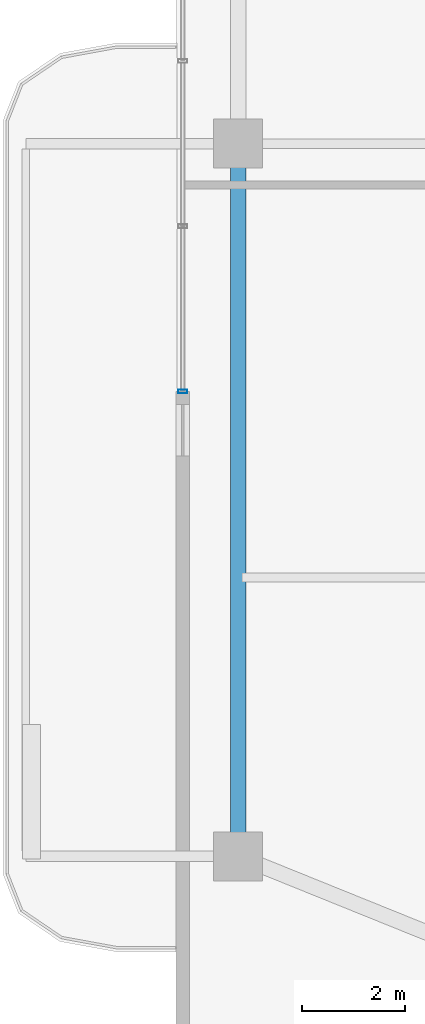
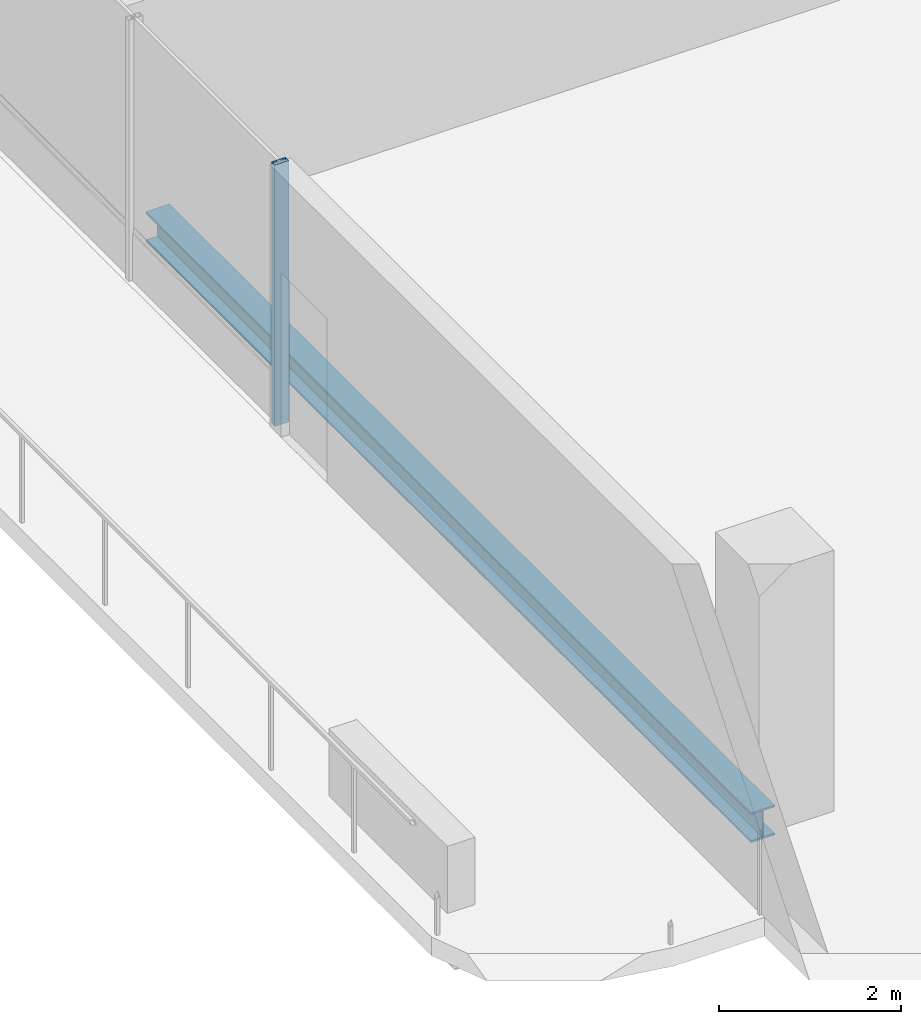
# One storey, part 4 of 24: 1 beam, 1 member, 1 element without a shape of its own.
"""IFC4 building model written with IfcOpenShell, lengths in metres."""

from ifc_helpers import new_model, si_unit, direction, frame, origin, origin_2d, place, context, subcontext, project, spatial, hollow_rectangle, i_section, extrude, material, layer, layer_set, material_profile, profile_set, type_object, element, aggregate, save


model = new_model("IFC4")

# Units and contexts
model_context = context("Model", 3, precision=1e-05, world=origin(), true_north=direction((0.0, 1.0)))
body_context = subcontext(model_context, "Body", "Model", "MODEL_VIEW")
ifc_project = project(units=[si_unit("LENGTHUNIT", "METRE"), si_unit("AREAUNIT", "SQUARE_METRE"), si_unit("VOLUMEUNIT", "CUBIC_METRE"), si_unit("PLANEANGLEUNIT", "RADIAN"), si_unit("MASSUNIT", "GRAM", prefix="KILO")], contexts=[model_context])

# Site, building, storey
site_placement = place(None, origin())
site = spatial("IfcSite", under=ifc_project, at=site_placement, CompositionType="ELEMENT")
building_placement = place(site_placement, origin())
building = spatial("IfcBuilding", under=site, at=building_placement, Name="Belovzor Exchange Tower", CompositionType="ELEMENT")
storey_placement = place(building_placement, frame((0.0, 0.0, 261.60009765625)))
storey = spatial("IfcBuildingStorey", under=building, at=storey_placement, Name="L65", CompositionType="ELEMENT", Elevation=261.60009765625)

# Curtain wall, member
ifc_material_1 = material(Name="Anodised Aluminium Framing", Category="aluminium")
ifc_layer = layer(ifc_material_1, 0.179931640625)
ifc_layer_set = layer_set([ifc_layer], Name="Anodised Aluminium Framing")
curtain_wall_type = type_object("IfcCurtainWallType", Name="Recessed Loggia Low-Iron Triple-Glazed Curtain Wall", PredefinedType="NOTDEFINED", material=ifc_layer_set)
curtain_wall_placement = place(storey_placement, origin())
curtain_wall = element("IfcCurtainWall", 1, at=curtain_wall_placement, inside=storey, type_object=curtain_wall_type, Name="CW3 Recessed Loggia Low-Iron Triple-Glazed Curtain Wall L65", PredefinedType="NOTDEFINED")
ifc_material_2 = material(Name="Steel S355", Category="steel")
ifc_material_profile_1 = material_profile(ifc_material_2, hollow_rectangle(XDim=0.074951171875, YDim=0.179931640625, WallThickness=0.0048828125, at=origin_2d()))
ifc_profile_set_1 = profile_set([ifc_material_profile_1], Name="Steel S355")
member_type = type_object("IfcMemberType", Name="Thermally Broken Curtain Wall Mullion 180x75", PredefinedType="MULLION", material=ifc_profile_set_1)
member_placement = place(storey_placement, frame((4.030029296875, 24.0, 0.0), z_axis=(0.0, 0.0, 1.0), x_axis=(0.0, 1.0, 0.0)))
member = element("IfcMember", 2, at=member_placement, type_object=member_type, Name="CW-M180 Curtain Wall Mullion 1", PredefinedType="MULLION", context=body_context, shape_type="SweptSolid", body=[
    extrude(hollow_rectangle(XDim=0.074951171875, YDim=0.179931640625, WallThickness=0.0048828125, at=origin_2d()), origin(), (0.0, 0.0, 1.0), 3.5),
])
aggregate(curtain_wall, [member])

# Beam
ifc_material_3 = material(Name="Steel S355", Category="steel")
ifc_material_profile_2 = material_profile(ifc_material_3, i_section(OverallWidth=0.300048828125, OverallDepth=0.39990234375, WebThickness=0.013427734375, FlangeThickness=0.02392578125, at=origin_2d()))
ifc_profile_set_2 = profile_set([ifc_material_profile_2], Name="Steel S355")
beam_type = type_object("IfcBeamType", Name="Zone 5 Primary Girder HEB 400", PredefinedType="BEAM", material=ifc_profile_set_2)
beam_placement = place(storey_placement, frame((5.10009765625, 28.5390625, -0.4501953125), z_axis=(0.0, -1.0, 0.0), x_axis=(1.0, 0.0, 0.0)))
element("IfcBeam", 3, at=beam_placement, inside=storey, type_object=beam_type, Name="FG-Z5 Zone 5 Primary Girder HEB 400", PredefinedType="BEAM", context=body_context, shape_type="SweptSolid", body=[
    extrude(i_section(OverallWidth=0.300048828125, OverallDepth=0.39990234375, WebThickness=0.013427734375, FlangeThickness=0.02392578125, at=origin_2d()), origin(), (0.0, 0.0, 1.0), 13.278076171875),
])

save(model, "model.ifc")
